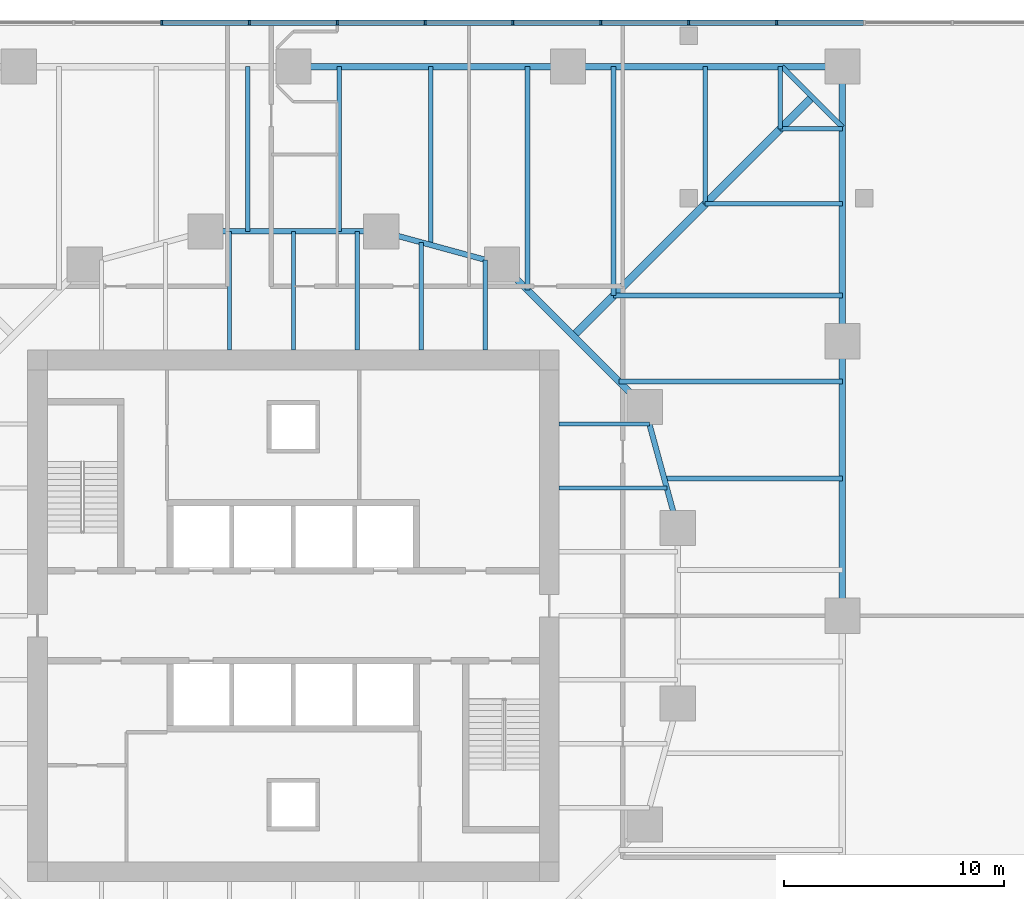
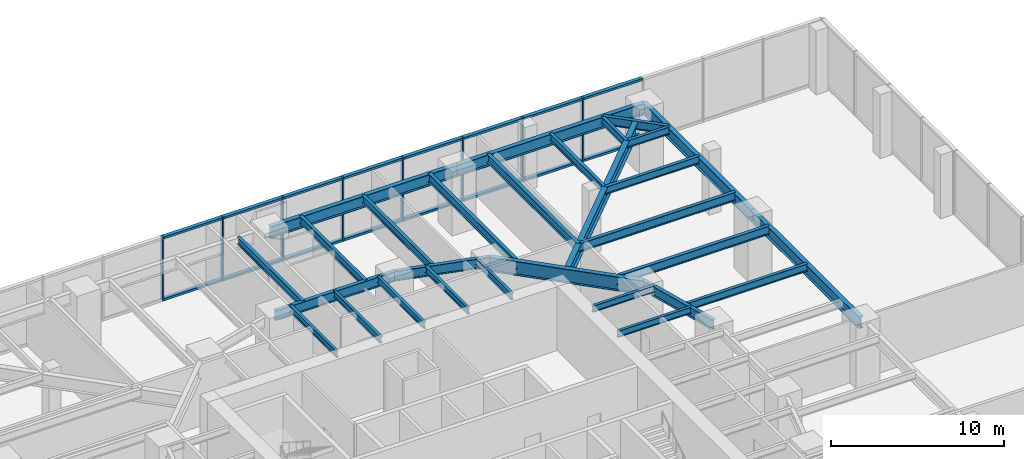
# One storey, part 6 of 14: 29 beams, 24 members, 1 element without a shape of its own.
"""IFC4 building model written with IfcOpenShell, lengths in metres."""

import ifcopenshell
import ifcopenshell.guid

model = None  # the IFC model being written
_history = None  # IfcOwnerHistory: only IFC2X3 demands one
_inside = {}  # id of a spatial element -> (the spatial element, [elements in it])
_under = {}  # id of a project, library or spatial element -> (it, [spatial elements below it])
_declared = {}  # id of a project -> (the project, [libraries it declares])
_typed = {}  # id of a type object -> (the type object, [elements of that type])
_made_of = {}  # id of a material, layer set ... -> (it, [elements and type objects made of it])


def new_model(schema):
    """Start an empty IFC model of exactly this schema.

    Asked for "IFC4X3", IfcOpenShell would pick the latest addendum, in which some entities
    have other attributes; the version numbers below select the first issue.
    IFC2X3 requires an IfcOwnerHistory on every rooted entity: one is made here for all.
    """
    global model, _history
    if schema == "IFC4X3":
        model = ifcopenshell.file(schema_version=(4, 3, 0, 0))
    else:
        model = ifcopenshell.file(schema=schema)
    _inside.clear()
    _under.clear()
    _declared.clear()
    _typed.clear()
    _made_of.clear()
    _history = None
    if model.schema == "IFC2X3":
        org = make("IfcOrganization", Name="unknown")
        user = make(
            "IfcPersonAndOrganization",
            ThePerson=make("IfcPerson", FamilyName="unknown"),
            TheOrganization=org,
        )
        app = make(
            "IfcApplication",
            ApplicationDeveloper=org,
            Version="unknown",
            ApplicationFullName="unknown",
            ApplicationIdentifier="unknown",
        )
        _history = make(
            "IfcOwnerHistory",
            OwningUser=user,
            OwningApplication=app,
            ChangeAction="ADDED",
            CreationDate=0,
        )
    return model


def make(cls, **values):
    """One entity of the class cls with the attributes given. An attribute that is None is left unset."""
    return model.create_entity(
        cls, **{name: value for name, value in values.items() if value is not None}
    )


def rooted(cls, **values):
    """An entity with a GlobalId (a new one), such as an element, a storey or a relation."""
    return make(cls, GlobalId=ifcopenshell.guid.new(), OwnerHistory=_history, **values)


def si_unit(unit_type, name, prefix=None):
    """IfcSIUnit, for example si_unit("LENGTHUNIT", "METRE", prefix="MILLI")."""
    return make("IfcSIUnit", UnitType=unit_type, Prefix=prefix, Name=name)


def assignment(units):
    """IfcUnitAssignment: the units of a project."""
    return None if units is None else make("IfcUnitAssignment", Units=units)


def point(xyz):
    """IfcCartesianPoint."""
    return None if xyz is None else make("IfcCartesianPoint", Coordinates=xyz)


def direction(xyz):
    """IfcDirection."""
    return None if xyz is None else make("IfcDirection", DirectionRatios=xyz)


def frame(location, z_axis=None, x_axis=None):
    """IfcAxis2Placement3D, a coordinate frame: its origin and axes. An axis left out is left unset."""
    return make(
        "IfcAxis2Placement3D",
        Location=point(location),
        Axis=direction(z_axis),
        RefDirection=direction(x_axis),
    )


def frame_2d(location, x_axis=None):
    """IfcAxis2Placement2D, a coordinate frame in the plane: its origin and x axis."""
    return make(
        "IfcAxis2Placement2D", Location=point(location), RefDirection=direction(x_axis)
    )


def origin():
    """The frame at (0, 0, 0) with its axes left unset."""
    return frame((0.0, 0.0, 0.0))


def origin_2d():
    """The frame at (0, 0) in the plane with its x axis left unset."""
    return frame_2d((0.0, 0.0))


def place(relative_to, where):
    """IfcLocalPlacement: puts the frame where relative to a parent placement (None: the world)."""
    return make(
        "IfcLocalPlacement", PlacementRelTo=relative_to, RelativePlacement=where
    )


def context(
    kind, dimensions, precision=None, world=None, true_north=None, identifier=None
):
    """IfcGeometricRepresentationContext, for example the 3D "Model" context."""
    return make(
        "IfcGeometricRepresentationContext",
        ContextIdentifier=identifier,
        ContextType=kind,
        CoordinateSpaceDimension=dimensions,
        Precision=precision,
        WorldCoordinateSystem=world,
        TrueNorth=true_north,
    )


def subcontext(parent, identifier, kind, view, scale=None):
    """IfcGeometricRepresentationSubContext, for example "Body" below "Model"."""
    return make(
        "IfcGeometricRepresentationSubContext",
        ContextIdentifier=identifier,
        ContextType=kind,
        ParentContext=parent,
        TargetScale=scale,
        TargetView=view,
    )


def project(units=None, contexts=None):
    """IfcProject with its units and contexts."""
    return rooted(
        "IfcProject",
        Name="project",
        RepresentationContexts=contexts,
        UnitsInContext=assignment(units),
    )


def spatial(cls, under=None, at=None, **own):
    """A site, building, storey or space (cls), placed at a placement, below another one or the project."""
    s = rooted(cls, ObjectPlacement=at, **own)
    if under is not None:
        _under.setdefault(under.id(), (under, []))[1].append(s)
    return s


def profile(cls, at=None, kind="AREA", **sizes):
    """A parametric profile (cls). Its sizes go by their IFC names, for example OverallWidth=200.0."""
    return make(cls, ProfileType=kind, Position=at, **sizes)


def rectangle(**sizes):
    """IfcRectangleProfileDef."""
    return profile("IfcRectangleProfileDef", **sizes)


def i_section(**sizes):
    """IfcIShapeProfileDef."""
    return profile("IfcIShapeProfileDef", **sizes)


def extrude(swept, where, along, depth):
    """IfcExtrudedAreaSolid: the profile swept, set in the frame where, extruded along a direction by depth."""
    return make(
        "IfcExtrudedAreaSolid",
        SweptArea=swept,
        Position=where,
        ExtrudedDirection=direction(along),
        Depth=depth,
    )


def shape(context_of_items, identifier, shape_type, items):
    """IfcShapeRepresentation: the items that make up one representation, for example the "Body"."""
    return make(
        "IfcShapeRepresentation",
        ContextOfItems=context_of_items,
        RepresentationIdentifier=identifier,
        RepresentationType=shape_type,
        Items=items,
    )


def material(Name=None, Category=None):
    """IfcMaterial."""
    return make("IfcMaterial", Name=Name, Category=Category)


def material_profile(
    of_material, cross_section, Name=None, Category=None, Priority=None
):
    """IfcMaterialProfile: a cross section and its material."""
    return make(
        "IfcMaterialProfile",
        Name=Name,
        Material=of_material,
        Profile=cross_section,
        Priority=Priority,
        Category=Category,
    )


def profile_set(profiles, Name=None, composite=None):
    """IfcMaterialProfileSet."""
    return make(
        "IfcMaterialProfileSet",
        Name=Name,
        MaterialProfiles=profiles,
        CompositeProfile=composite,
    )


def made_of(thing, what):
    """Note that an element or type object is made of a material, layer set ...; save() writes the relation."""
    if what is not None:
        _made_of.setdefault(what.id(), (what, []))[1].append(thing)
    return thing


def type_object(cls, material=None, **own):
    """A type object (cls), such as IfcWallType, which elements share."""
    return made_of(rooted(cls, **own), material)


def element(
    cls,
    number,
    at=None,
    inside=None,
    cuts=None,
    type_object=None,
    material=None,
    context=None,
    identifier="Body",
    shape_type=None,
    held_by="IfcProductDefinitionShape",
    body=None,
    shapes=None,
    **own,
):
    """One element of the class cls, such as IfcWall. Its Tag is "e" and its number.

    at: its placement. inside: the storey or other place that contains it. cuts: it is an
    opening in that element (IfcRelVoidsElement). A single representation is given by context,
    identifier, shape_type and body (its items); several are given by shapes. held_by: the class
    of the entity that holds the representations. save() writes the other relations.
    """
    e = rooted(cls, Tag="e%d" % number, ObjectPlacement=at, **own)
    if body is not None:
        shapes = [shape(context, identifier, shape_type, body)]
    if shapes is not None:
        e.Representation = make(held_by, Representations=shapes)
    if inside is not None:
        _inside.setdefault(inside.id(), (inside, []))[1].append(e)
    if cuts is not None:
        rooted(
            "IfcRelVoidsElement", RelatingBuildingElement=cuts, RelatedOpeningElement=e
        )
    if type_object is not None:
        _typed.setdefault(type_object.id(), (type_object, []))[1].append(e)
    return made_of(e, material)


def aggregate(whole, parts):
    """IfcRelAggregates: a whole, such as a stair, and the parts it consists of."""
    return rooted("IfcRelAggregates", RelatingObject=whole, RelatedObjects=parts)


def save(model, path):
    """Write the relations noted so far, then the file.

    IfcRelAggregates (storeys below a building ...), IfcRelContainedInSpatialStructure (elements
    in a storey), IfcRelDefinesByType, IfcRelAssociatesMaterial and IfcRelDeclares: one each for
    every whole, place, type object, material and project.
    """
    for whole, parts in _under.values():
        aggregate(whole, parts)
    for where, things in _inside.values():
        rooted(
            "IfcRelContainedInSpatialStructure",
            RelatedElements=things,
            RelatingStructure=where,
        )
    for kind, things in _typed.values():
        rooted("IfcRelDefinesByType", RelatedObjects=things, RelatingType=kind)
    for what, things in _made_of.values():
        rooted("IfcRelAssociatesMaterial", RelatedObjects=things, RelatingMaterial=what)
    for by, libraries in _declared.values():
        rooted("IfcRelDeclares", RelatingContext=by, RelatedDefinitions=libraries)
    model.write(path)


model = new_model("IFC4")

# Units and contexts
model_context = context("Model", 3, precision=1e-05, world=origin(), true_north=direction((0.0, 1.0)))
body_context = subcontext(model_context, "Body", "Model", "MODEL_VIEW")
ifc_project = project(units=[si_unit("LENGTHUNIT", "METRE"), si_unit("AREAUNIT", "SQUARE_METRE"), si_unit("VOLUMEUNIT", "CUBIC_METRE"), si_unit("PLANEANGLEUNIT", "RADIAN"), si_unit("MASSUNIT", "GRAM", prefix="KILO")], contexts=[model_context])

# Site, building, storey
site_placement = place(None, origin())
site = spatial("IfcSite", under=ifc_project, at=site_placement, CompositionType="ELEMENT")
building_placement = place(site_placement, origin())
building = spatial("IfcBuilding", under=site, at=building_placement, Name="Torsade Residences", CompositionType="ELEMENT")
storey_placement = place(building_placement, frame((0.0, 0.0, 10.5)))
storey = spatial("IfcBuildingStorey", under=building, at=storey_placement, Name="L02", CompositionType="ELEMENT", Elevation=10.5)

# Beams
ifc_material_1 = material(Name="Steel grade 300", Category="steel")
ifc_material_profile_1 = material_profile(ifc_material_1, i_section(OverallWidth=0.35009765625, OverallDepth=0.909912109375, WebThickness=0.011962890625, FlangeThickness=0.02490234375, at=origin_2d()), Name="900WB218")
ifc_profile_set_1 = profile_set([ifc_material_profile_1], Name="Steel grade 300")
beam_type_1 = type_object("IfcBeamType", Name="CORNER GIRDER 900WB218", PredefinedType="BEAM", material=ifc_profile_set_1)
beam_1_placement = place(storey_placement, frame((63.625, 53.625, 3.89501953125), z_axis=(-0.707106781187, -0.707106781187, 0.0), x_axis=(0.707106781187, -0.707106781187, 0.0)))
element("IfcBeam", 1, at=beam_1_placement, inside=storey, type_object=beam_type_1, Name="Corner girder 09 L03", PredefinedType="BEAM", context=body_context, shape_type="SweptSolid", body=[
    extrude(i_section(OverallWidth=0.35009765625, OverallDepth=0.909912109375, WebThickness=0.011962890625, FlangeThickness=0.02490234375, at=origin_2d()), origin(), (0.0, 0.0, 1.0), 15.379638671875),
])
ifc_material_2 = material(Name="Steel grade 300", Category="steel")
ifc_material_profile_2 = material_profile(ifc_material_2, i_section(OverallWidth=0.22802734375, OverallDepth=0.60205078125, WebThickness=0.010498046875, FlangeThickness=0.014892578125, FilletRadius=0.013916015625, at=origin_2d()), Name="610UB101")
ifc_profile_set_2 = profile_set([ifc_material_profile_2], Name="Steel grade 300")
beam_type_2 = type_object("IfcBeamType", Name="CORNER TRIMMER 610UB101", PredefinedType="BEAM", material=ifc_profile_set_2)
beam_2_placement = place(storey_placement, frame((62.25, 55.0, 4.049072265625), z_axis=(0.707106781187, -0.707106781187, 0.0), x_axis=(0.707106781187, 0.707106781187, 0.0)))
element("IfcBeam", 2, at=beam_2_placement, inside=storey, type_object=beam_type_2, Name="Corner trimmer 09 L03", PredefinedType="BEAM", context=body_context, shape_type="SweptSolid", body=[
    extrude(i_section(OverallWidth=0.22802734375, OverallDepth=0.60205078125, WebThickness=0.010498046875, FlangeThickness=0.014892578125, FilletRadius=0.013916015625, at=origin_2d()), origin(), (0.0, 0.0, 1.0), 3.88916015625),
])
ifc_material_3 = material(Name="Steel grade 300", Category="steel")
ifc_material_profile_3 = material_profile(ifc_material_3, i_section(OverallWidth=0.300048828125, OverallDepth=0.81591796875, WebThickness=0.010009765625, FlangeThickness=0.028076171875, at=origin_2d()), Name="800WB192")
ifc_profile_set_3 = profile_set([ifc_material_profile_3], Name="Steel grade 300")
beam_type_3 = type_object("IfcBeamType", Name="EDGE BEAM 800WB192", PredefinedType="SPANDREL", material=ifc_profile_set_3)
for number, where, z_axis, x_axis, name in (
    (3, (65.0, 30.0, 3.94189453125), (0.0, 1.0, 0.0), (-1.0, 0.0, 0.0), "Edge beam 07 L03"),
    (4, (65.0, 42.5, 3.94189453125), (0.0, 1.0, 0.0), (-1.0, 0.0, 0.0), "Edge beam 08 L03"),
    (5, (65.0, 55.0, 3.94189453125), (-1.0, 0.0, 0.0), (0.0, -1.0, 0.0), "Edge beam 09 L03"),
    (6, (52.5, 55.0, 3.94189453125), (-1.0, 0.0, 0.0), (0.0, -1.0, 0.0), "Edge beam 10 L03"),
):
    element("IfcBeam", number, at=place(storey_placement, frame(where, z_axis=z_axis, x_axis=x_axis)), inside=storey, type_object=beam_type_3, Name=name, PredefinedType="SPANDREL", context=body_context, shape_type="SweptSolid", body=[
        extrude(i_section(OverallWidth=0.300048828125, OverallDepth=0.81591796875, WebThickness=0.010009765625, FlangeThickness=0.028076171875, at=origin_2d()), origin(), (0.0, 0.0, 1.0), 12.5),
    ])
ifc_material_4 = material(Name="Steel grade 300", Category="steel")
ifc_material_profile_4 = material_profile(ifc_material_4, i_section(OverallWidth=0.18994140625, OverallDepth=0.4541015625, WebThickness=0.008544921875, FlangeThickness=0.0126953125, FilletRadius=0.011474609375, at=origin_2d()), Name="460UB67.1")
ifc_profile_set_4 = profile_set([ifc_material_profile_4], Name="Steel grade 300")
beam_type_4 = type_object("IfcBeamType", Name="INNER FLOOR BEAM 460UB67.1", PredefinedType="JOIST", material=ifc_profile_set_4)
for number, where, z_axis, x_axis, name in (
    (7, (37.08740234375, 42.10009765625, 4.123046875), (0.0, 1.0, 0.0), (-1.0, 0.0, 0.0), "Inner floor beam IN03 L03"),
    (8, (40.0, 42.10009765625, 4.123046875), (0.0, 1.0, 0.0), (-1.0, 0.0, 0.0), "Inner floor beam IN04 L03"),
    (9, (42.91259765625, 42.10009765625, 4.123046875), (0.0, 1.0, 0.0), (-1.0, 0.0, 0.0), "Inner floor beam IN05 L03"),
):
    element("IfcBeam", number, at=place(storey_placement, frame(where, z_axis=z_axis, x_axis=x_axis)), inside=storey, type_object=beam_type_4, Name=name, PredefinedType="JOIST", context=body_context, shape_type="SweptSolid", body=[
        extrude(i_section(OverallWidth=0.18994140625, OverallDepth=0.4541015625, WebThickness=0.008544921875, FlangeThickness=0.0126953125, FilletRadius=0.011474609375, at=origin_2d()), origin(), (0.0, 0.0, 1.0), 5.39990234375),
    ])
beam_3_placement = place(storey_placement, frame((45.824951171875, 42.10009765625, 4.123046875), z_axis=(0.0, 1.0, 0.0), x_axis=(-1.0, 0.0, 0.0)))
element("IfcBeam", 10, at=beam_3_placement, inside=storey, type_object=beam_type_4, Name="Inner floor beam IN06 L03", PredefinedType="JOIST", context=body_context, shape_type="SweptSolid", body=[
    extrude(i_section(OverallWidth=0.18994140625, OverallDepth=0.4541015625, WebThickness=0.008544921875, FlangeThickness=0.0126953125, FilletRadius=0.011474609375, at=origin_2d()), origin(), (0.0, 0.0, 1.0), 4.902099609375),
])
beam_4_placement = place(storey_placement, frame((48.737548828125, 42.10009765625, 4.123046875), z_axis=(0.0, 1.0, 0.0), x_axis=(-1.0, 0.0, 0.0)))
element("IfcBeam", 11, at=beam_4_placement, inside=storey, type_object=beam_type_4, Name="Inner floor beam IN07 L03", PredefinedType="JOIST", context=body_context, shape_type="SweptSolid", body=[
    extrude(i_section(OverallWidth=0.18994140625, OverallDepth=0.4541015625, WebThickness=0.008544921875, FlangeThickness=0.0126953125, FilletRadius=0.011474609375, at=origin_2d()), origin(), (0.0, 0.0, 1.0), 4.10791015625),
])
beam_5_placement = place(storey_placement, frame((52.10009765625, 35.824951171875, 4.123046875), z_axis=(1.0, 0.0, 0.0), x_axis=(0.0, 1.0, 0.0)))
element("IfcBeam", 12, at=beam_5_placement, inside=storey, type_object=beam_type_4, Name="Inner floor beam IE06 L03", PredefinedType="JOIST", context=body_context, shape_type="SweptSolid", body=[
    extrude(i_section(OverallWidth=0.18994140625, OverallDepth=0.4541015625, WebThickness=0.008544921875, FlangeThickness=0.0126953125, FilletRadius=0.011474609375, at=origin_2d()), origin(), (0.0, 0.0, 1.0), 4.902099609375),
])
beam_6_placement = place(storey_placement, frame((52.10009765625, 38.737548828125, 4.123046875), z_axis=(1.0, 0.0, 0.0), x_axis=(0.0, 1.0, 0.0)))
element("IfcBeam", 13, at=beam_6_placement, inside=storey, type_object=beam_type_4, Name="Inner floor beam IE07 L03", PredefinedType="JOIST", context=body_context, shape_type="SweptSolid", body=[
    extrude(i_section(OverallWidth=0.18994140625, OverallDepth=0.4541015625, WebThickness=0.008544921875, FlangeThickness=0.0126953125, FilletRadius=0.011474609375, at=origin_2d()), origin(), (0.0, 0.0, 1.0), 4.10791015625),
])

# Curtain wall, members
ifc_material_5 = material(Name="Aluminium and glass", Category="aluminium")
curtain_wall_type = type_object("IfcCurtainWallType", Name="PODIUM CURTAIN WALL", PredefinedType="NOTDEFINED", material=ifc_material_5)
curtain_wall_placement = place(storey_placement, origin())
curtain_wall = element("IfcCurtainWall", 14, at=curtain_wall_placement, inside=storey, type_object=curtain_wall_type, Name="Podium curtain wall L02 N", PredefinedType="NOTDEFINED")
ifc_material_6 = material(Name="Aluminium mullion", Category="aluminium")
ifc_material_profile_5 = material_profile(ifc_material_6, rectangle(XDim=0.25, YDim=0.090087890625, at=origin_2d()), Name="PODIUM CURTAIN WALL MULLION 250x90")
ifc_profile_set_5 = profile_set([ifc_material_profile_5], Name="Aluminium mullion")
member_type_1 = type_object("IfcMemberType", Name="PODIUM CURTAIN WALL MULLION 250x90", PredefinedType="MULLION", material=ifc_profile_set_5)
member_1_placement = place(storey_placement, frame((62.0, 57.0, 0.0), z_axis=(0.0, 0.0, 1.0), x_axis=(0.0, -1.0, 0.0)))
member_1 = element("IfcMember", 15, at=member_1_placement, type_object=member_type_1, Name="Mullion 5", PredefinedType="MULLION", context=body_context, shape_type="SweptSolid", body=[
    extrude(rectangle(XDim=0.25, YDim=0.090087890625, at=origin_2d()), origin(), (0.0, 0.0, 1.0), 4.5),
])
member_2_placement = place(storey_placement, frame((58.0, 57.0, 0.0), z_axis=(0.0, 0.0, 1.0), x_axis=(0.0, -1.0, 0.0)))
member_2 = element("IfcMember", 16, at=member_2_placement, type_object=member_type_1, Name="Mullion 6", PredefinedType="MULLION", context=body_context, shape_type="SweptSolid", body=[
    extrude(rectangle(XDim=0.25, YDim=0.090087890625, at=origin_2d()), origin(), (0.0, 0.0, 1.0), 4.5),
])
member_3_placement = place(storey_placement, frame((54.0, 57.0, 0.0), z_axis=(0.0, 0.0, 1.0), x_axis=(0.0, -1.0, 0.0)))
member_3 = element("IfcMember", 17, at=member_3_placement, type_object=member_type_1, Name="Mullion 7", PredefinedType="MULLION", context=body_context, shape_type="SweptSolid", body=[
    extrude(rectangle(XDim=0.25, YDim=0.090087890625, at=origin_2d()), origin(), (0.0, 0.0, 1.0), 4.5),
])
member_4_placement = place(storey_placement, frame((50.0, 57.0, 0.0), z_axis=(0.0, 0.0, 1.0), x_axis=(0.0, -1.0, 0.0)))
member_4 = element("IfcMember", 18, at=member_4_placement, type_object=member_type_1, Name="Mullion 8", PredefinedType="MULLION", context=body_context, shape_type="SweptSolid", body=[
    extrude(rectangle(XDim=0.25, YDim=0.090087890625, at=origin_2d()), origin(), (0.0, 0.0, 1.0), 4.5),
])
member_5_placement = place(storey_placement, frame((46.0, 57.0, 0.0), z_axis=(0.0, 0.0, 1.0), x_axis=(0.0, -1.0, 0.0)))
member_5 = element("IfcMember", 19, at=member_5_placement, type_object=member_type_1, Name="Mullion 9", PredefinedType="MULLION", context=body_context, shape_type="SweptSolid", body=[
    extrude(rectangle(XDim=0.25, YDim=0.090087890625, at=origin_2d()), origin(), (0.0, 0.0, 1.0), 4.5),
])
member_6_placement = place(storey_placement, frame((42.0, 57.0, 0.0), z_axis=(0.0, 0.0, 1.0), x_axis=(0.0, -1.0, 0.0)))
member_6 = element("IfcMember", 20, at=member_6_placement, type_object=member_type_1, Name="Mullion 10", PredefinedType="MULLION", context=body_context, shape_type="SweptSolid", body=[
    extrude(rectangle(XDim=0.25, YDim=0.090087890625, at=origin_2d()), origin(), (0.0, 0.0, 1.0), 4.5),
])
member_7_placement = place(storey_placement, frame((38.0, 57.0, 0.0), z_axis=(0.0, 0.0, 1.0), x_axis=(0.0, -1.0, 0.0)))
member_7 = element("IfcMember", 21, at=member_7_placement, type_object=member_type_1, Name="Mullion 11", PredefinedType="MULLION", context=body_context, shape_type="SweptSolid", body=[
    extrude(rectangle(XDim=0.25, YDim=0.090087890625, at=origin_2d()), origin(), (0.0, 0.0, 1.0), 4.5),
])
member_8_placement = place(storey_placement, frame((34.0, 57.0, 0.0), z_axis=(0.0, 0.0, 1.0), x_axis=(0.0, -1.0, 0.0)))
member_8 = element("IfcMember", 22, at=member_8_placement, type_object=member_type_1, Name="Mullion 12", PredefinedType="MULLION", context=body_context, shape_type="SweptSolid", body=[
    extrude(rectangle(XDim=0.25, YDim=0.090087890625, at=origin_2d()), origin(), (0.0, 0.0, 1.0), 4.5),
])
ifc_material_7 = material(Name="Aluminium transom", Category="aluminium")
ifc_material_profile_6 = material_profile(ifc_material_7, rectangle(XDim=0.25, YDim=0.14990234375, at=origin_2d()), Name="PODIUM CURTAIN WALL TRANSOM 250x150")
ifc_profile_set_6 = profile_set([ifc_material_profile_6], Name="Aluminium transom")
member_type_2 = type_object("IfcMemberType", Name="PODIUM CURTAIN WALL TRANSOM 250x150", PredefinedType="USERDEFINED", material=ifc_profile_set_6)
member_9_placement = place(storey_placement, frame((65.955078125, 57.0, 0.074951171875), z_axis=(-1.0, 0.0, 0.0), x_axis=(0.0, -1.0, 0.0)))
member_9 = element("IfcMember", 23, at=member_9_placement, type_object=member_type_2, Name="Transom 4.1", ObjectType="TRANSOM", PredefinedType="USERDEFINED", context=body_context, shape_type="SweptSolid", body=[
    extrude(rectangle(XDim=0.25, YDim=0.14990234375, at=origin_2d()), origin(), (0.0, 0.0, 1.0), 3.91015625),
])
member_10_placement = place(storey_placement, frame((65.955078125, 57.0, 4.425048828125), z_axis=(-1.0, 0.0, 0.0), x_axis=(0.0, -1.0, 0.0)))
member_10 = element("IfcMember", 24, at=member_10_placement, type_object=member_type_2, Name="Transom 4.2", ObjectType="TRANSOM", PredefinedType="USERDEFINED", context=body_context, shape_type="SweptSolid", body=[
    extrude(rectangle(XDim=0.25, YDim=0.14990234375, at=origin_2d()), origin(), (0.0, 0.0, 1.0), 3.91015625),
])
member_11_placement = place(storey_placement, frame((61.955078125, 57.0, 0.074951171875), z_axis=(-1.0, 0.0, 0.0), x_axis=(0.0, -1.0, 0.0)))
member_11 = element("IfcMember", 25, at=member_11_placement, type_object=member_type_2, Name="Transom 5.1", ObjectType="TRANSOM", PredefinedType="USERDEFINED", context=body_context, shape_type="SweptSolid", body=[
    extrude(rectangle(XDim=0.25, YDim=0.14990234375, at=origin_2d()), origin(), (0.0, 0.0, 1.0), 3.91015625),
])
member_12_placement = place(storey_placement, frame((61.955078125, 57.0, 4.425048828125), z_axis=(-1.0, 0.0, 0.0), x_axis=(0.0, -1.0, 0.0)))
member_12 = element("IfcMember", 26, at=member_12_placement, type_object=member_type_2, Name="Transom 5.2", ObjectType="TRANSOM", PredefinedType="USERDEFINED", context=body_context, shape_type="SweptSolid", body=[
    extrude(rectangle(XDim=0.25, YDim=0.14990234375, at=origin_2d()), origin(), (0.0, 0.0, 1.0), 3.91015625),
])
member_13_placement = place(storey_placement, frame((57.955078125, 57.0, 0.074951171875), z_axis=(-1.0, 0.0, 0.0), x_axis=(0.0, -1.0, 0.0)))
member_13 = element("IfcMember", 27, at=member_13_placement, type_object=member_type_2, Name="Transom 6.1", ObjectType="TRANSOM", PredefinedType="USERDEFINED", context=body_context, shape_type="SweptSolid", body=[
    extrude(rectangle(XDim=0.25, YDim=0.14990234375, at=origin_2d()), origin(), (0.0, 0.0, 1.0), 3.91015625),
])
member_14_placement = place(storey_placement, frame((57.955078125, 57.0, 4.425048828125), z_axis=(-1.0, 0.0, 0.0), x_axis=(0.0, -1.0, 0.0)))
member_14 = element("IfcMember", 28, at=member_14_placement, type_object=member_type_2, Name="Transom 6.2", ObjectType="TRANSOM", PredefinedType="USERDEFINED", context=body_context, shape_type="SweptSolid", body=[
    extrude(rectangle(XDim=0.25, YDim=0.14990234375, at=origin_2d()), origin(), (0.0, 0.0, 1.0), 3.91015625),
])
member_15_placement = place(storey_placement, frame((53.955078125, 57.0, 0.074951171875), z_axis=(-1.0, 0.0, 0.0), x_axis=(0.0, -1.0, 0.0)))
member_15 = element("IfcMember", 29, at=member_15_placement, type_object=member_type_2, Name="Transom 7.1", ObjectType="TRANSOM", PredefinedType="USERDEFINED", context=body_context, shape_type="SweptSolid", body=[
    extrude(rectangle(XDim=0.25, YDim=0.14990234375, at=origin_2d()), origin(), (0.0, 0.0, 1.0), 3.91015625),
])
member_16_placement = place(storey_placement, frame((53.955078125, 57.0, 4.425048828125), z_axis=(-1.0, 0.0, 0.0), x_axis=(0.0, -1.0, 0.0)))
member_16 = element("IfcMember", 30, at=member_16_placement, type_object=member_type_2, Name="Transom 7.2", ObjectType="TRANSOM", PredefinedType="USERDEFINED", context=body_context, shape_type="SweptSolid", body=[
    extrude(rectangle(XDim=0.25, YDim=0.14990234375, at=origin_2d()), origin(), (0.0, 0.0, 1.0), 3.91015625),
])
member_17_placement = place(storey_placement, frame((49.955078125, 57.0, 0.074951171875), z_axis=(-1.0, 0.0, 0.0), x_axis=(0.0, -1.0, 0.0)))
member_17 = element("IfcMember", 31, at=member_17_placement, type_object=member_type_2, Name="Transom 8.1", ObjectType="TRANSOM", PredefinedType="USERDEFINED", context=body_context, shape_type="SweptSolid", body=[
    extrude(rectangle(XDim=0.25, YDim=0.14990234375, at=origin_2d()), origin(), (0.0, 0.0, 1.0), 3.91015625),
])
member_18_placement = place(storey_placement, frame((49.955078125, 57.0, 4.425048828125), z_axis=(-1.0, 0.0, 0.0), x_axis=(0.0, -1.0, 0.0)))
member_18 = element("IfcMember", 32, at=member_18_placement, type_object=member_type_2, Name="Transom 8.2", ObjectType="TRANSOM", PredefinedType="USERDEFINED", context=body_context, shape_type="SweptSolid", body=[
    extrude(rectangle(XDim=0.25, YDim=0.14990234375, at=origin_2d()), origin(), (0.0, 0.0, 1.0), 3.91015625),
])
member_19_placement = place(storey_placement, frame((45.955078125, 57.0, 0.074951171875), z_axis=(-1.0, 0.0, 0.0), x_axis=(0.0, -1.0, 0.0)))
member_19 = element("IfcMember", 33, at=member_19_placement, type_object=member_type_2, Name="Transom 9.1", ObjectType="TRANSOM", PredefinedType="USERDEFINED", context=body_context, shape_type="SweptSolid", body=[
    extrude(rectangle(XDim=0.25, YDim=0.14990234375, at=origin_2d()), origin(), (0.0, 0.0, 1.0), 3.91015625),
])
member_20_placement = place(storey_placement, frame((45.955078125, 57.0, 4.425048828125), z_axis=(-1.0, 0.0, 0.0), x_axis=(0.0, -1.0, 0.0)))
member_20 = element("IfcMember", 34, at=member_20_placement, type_object=member_type_2, Name="Transom 9.2", ObjectType="TRANSOM", PredefinedType="USERDEFINED", context=body_context, shape_type="SweptSolid", body=[
    extrude(rectangle(XDim=0.25, YDim=0.14990234375, at=origin_2d()), origin(), (0.0, 0.0, 1.0), 3.91015625),
])
member_21_placement = place(storey_placement, frame((41.955078125, 57.0, 0.074951171875), z_axis=(-1.0, 0.0, 0.0), x_axis=(0.0, -1.0, 0.0)))
member_21 = element("IfcMember", 35, at=member_21_placement, type_object=member_type_2, Name="Transom 10.1", ObjectType="TRANSOM", PredefinedType="USERDEFINED", context=body_context, shape_type="SweptSolid", body=[
    extrude(rectangle(XDim=0.25, YDim=0.14990234375, at=origin_2d()), origin(), (0.0, 0.0, 1.0), 3.91015625),
])
member_22_placement = place(storey_placement, frame((41.955078125, 57.0, 4.425048828125), z_axis=(-1.0, 0.0, 0.0), x_axis=(0.0, -1.0, 0.0)))
member_22 = element("IfcMember", 36, at=member_22_placement, type_object=member_type_2, Name="Transom 10.2", ObjectType="TRANSOM", PredefinedType="USERDEFINED", context=body_context, shape_type="SweptSolid", body=[
    extrude(rectangle(XDim=0.25, YDim=0.14990234375, at=origin_2d()), origin(), (0.0, 0.0, 1.0), 3.91015625),
])
member_23_placement = place(storey_placement, frame((37.955078125, 57.0, 0.074951171875), z_axis=(-1.0, 0.0, 0.0), x_axis=(0.0, -1.0, 0.0)))
member_23 = element("IfcMember", 37, at=member_23_placement, type_object=member_type_2, Name="Transom 11.1", ObjectType="TRANSOM", PredefinedType="USERDEFINED", context=body_context, shape_type="SweptSolid", body=[
    extrude(rectangle(XDim=0.25, YDim=0.14990234375, at=origin_2d()), origin(), (0.0, 0.0, 1.0), 3.91015625),
])
member_24_placement = place(storey_placement, frame((37.955078125, 57.0, 4.425048828125), z_axis=(-1.0, 0.0, 0.0), x_axis=(0.0, -1.0, 0.0)))
member_24 = element("IfcMember", 38, at=member_24_placement, type_object=member_type_2, Name="Transom 11.2", ObjectType="TRANSOM", PredefinedType="USERDEFINED", context=body_context, shape_type="SweptSolid", body=[
    extrude(rectangle(XDim=0.25, YDim=0.14990234375, at=origin_2d()), origin(), (0.0, 0.0, 1.0), 3.91015625),
])
aggregate(curtain_wall, [member_1, member_2, member_3, member_4, member_5, member_6, member_7, member_8, member_9, member_10, member_11, member_12, member_13, member_14, member_15, member_16, member_17, member_18, member_19, member_20, member_21, member_22, member_23, member_24])

# Beams
ifc_material_8 = material(Name="Steel grade 300", Category="steel")
ifc_material_profile_7 = material_profile(ifc_material_8, i_section(OverallWidth=0.300048828125, OverallDepth=1.0, WebThickness=0.01611328125, FlangeThickness=0.028076171875, at=origin_2d()), Name="1000WB215")
ifc_profile_set_7 = profile_set([ifc_material_profile_7], Name="Steel grade 300")
beam_type_5 = type_object("IfcBeamType", Name="RING CORNER GIRDER 1000WB215", PredefinedType="BEAM", material=ifc_profile_set_7)
beam_7_placement = place(storey_placement, frame((56.0, 39.5, 3.85009765625), z_axis=(-0.707106781187, 0.707106781187, 0.0), x_axis=(-0.707106781187, -0.707106781187, 0.0)))
element("IfcBeam", 39, at=beam_7_placement, inside=storey, type_object=beam_type_5, Name="Ring girder IR03 L03", PredefinedType="BEAM", context=body_context, shape_type="SweptSolid", body=[
    extrude(i_section(OverallWidth=0.300048828125, OverallDepth=1.0, WebThickness=0.01611328125, FlangeThickness=0.028076171875, at=origin_2d()), origin(), (0.0, 0.0, 1.0), 9.1923828125),
])
ifc_material_9 = material(Name="Steel grade 300", Category="steel")
ifc_material_profile_8 = material_profile(ifc_material_9, i_section(OverallWidth=0.25, OverallDepth=0.699951171875, WebThickness=0.010009765625, FlangeThickness=0.02001953125, at=origin_2d()), Name="700WB130")
ifc_profile_set_8 = profile_set([ifc_material_profile_8], Name="Steel grade 300")
beam_type_6 = type_object("IfcBeamType", Name="RING GIRDER 700WB130", PredefinedType="BEAM", material=ifc_profile_set_8)
for number, where, z_axis, x_axis, name in (
    (40, (57.5, 34.0, 4.0), (-0.263117405792, 0.964763821238, 0.0), (-0.964763821238, -0.263117405792, 0.0), "Ring girder IR02 L03"),
    (41, (49.5, 46.0, 4.0), (-0.964763821238, 0.263117405792, 0.0), (-0.263117405792, -0.964763821238, 0.0), "Ring girder IR04 L03"),
):
    element("IfcBeam", number, at=place(storey_placement, frame(where, z_axis=z_axis, x_axis=x_axis)), inside=storey, type_object=beam_type_6, Name=name, PredefinedType="BEAM", context=body_context, shape_type="SweptSolid", body=[
        extrude(i_section(OverallWidth=0.25, OverallDepth=0.699951171875, WebThickness=0.010009765625, FlangeThickness=0.02001953125, at=origin_2d()), origin(), (0.0, 0.0, 1.0), 5.700927734375),
    ])
beam_8_placement = place(storey_placement, frame((44.0, 47.5, 4.0), z_axis=(-1.0, 0.0, 0.0), x_axis=(0.0, -1.0, 0.0)))
element("IfcBeam", 42, at=beam_8_placement, inside=storey, type_object=beam_type_6, Name="Ring girder IR05 L03", PredefinedType="BEAM", context=body_context, shape_type="SweptSolid", body=[
    extrude(i_section(OverallWidth=0.25, OverallDepth=0.699951171875, WebThickness=0.010009765625, FlangeThickness=0.02001953125, at=origin_2d()), origin(), (0.0, 0.0, 1.0), 8.0),
])
ifc_material_10 = material(Name="Steel grade 300", Category="steel")
ifc_material_profile_9 = material_profile(ifc_material_10, i_section(OverallWidth=0.208984375, OverallDepth=0.528076171875, WebThickness=0.009521484375, FlangeThickness=0.01318359375, FilletRadius=0.013916015625, at=origin_2d()), Name="530UB82.0")
ifc_profile_set_9 = profile_set([ifc_material_profile_9], Name="Steel grade 300")
beam_type_7 = type_object("IfcBeamType", Name="SECONDARY BEAM 530UB82.0", PredefinedType="JOIST", material=ifc_profile_set_9)
beam_9_placement = place(storey_placement, frame((65.0, 36.25, 4.0859375), z_axis=(-1.0, 0.0, 0.0), x_axis=(0.0, -1.0, 0.0)))
element("IfcBeam", 43, at=beam_9_placement, inside=storey, type_object=beam_type_7, Name="Floor beam FE08 L03", PredefinedType="JOIST", context=body_context, shape_type="SweptSolid", body=[
    extrude(i_section(OverallWidth=0.208984375, OverallDepth=0.528076171875, WebThickness=0.009521484375, FlangeThickness=0.01318359375, FilletRadius=0.013916015625, at=origin_2d()), origin(), (0.0, 0.0, 1.0), 8.113525390625),
])
beam_10_placement = place(storey_placement, frame((65.0, 48.75, 4.0859375), z_axis=(-1.0, 0.0, 0.0), x_axis=(0.0, -1.0, 0.0)))
element("IfcBeam", 44, at=beam_10_placement, inside=storey, type_object=beam_type_7, Name="Floor beam FE11 L03", PredefinedType="JOIST", context=body_context, shape_type="SweptSolid", body=[
    extrude(i_section(OverallWidth=0.208984375, OverallDepth=0.528076171875, WebThickness=0.009521484375, FlangeThickness=0.01318359375, FilletRadius=0.013916015625, at=origin_2d()), origin(), (0.0, 0.0, 1.0), 6.25),
])
for number, where, z_axis, x_axis, name in (
    (45, (65.0, 52.166748046875, 4.0859375), (-1.0, 0.0, 0.0), (0.0, -1.0, 0.0), "Floor beam FE12 L03"),
    (46, (62.166748046875, 55.0, 4.0859375), (0.0, -1.0, 0.0), (1.0, 0.0, 0.0), "Floor beam FN01 L03"),
):
    element("IfcBeam", number, at=place(storey_placement, frame(where, z_axis=z_axis, x_axis=x_axis)), inside=storey, type_object=beam_type_7, Name=name, PredefinedType="JOIST", context=body_context, shape_type="SweptSolid", body=[
        extrude(i_section(OverallWidth=0.208984375, OverallDepth=0.528076171875, WebThickness=0.009521484375, FlangeThickness=0.01318359375, FilletRadius=0.013916015625, at=origin_2d()), origin(), (0.0, 0.0, 1.0), 2.833251953125),
    ])
beam_11_placement = place(storey_placement, frame((58.75, 55.0, 4.0859375), z_axis=(0.0, -1.0, 0.0), x_axis=(1.0, 0.0, 0.0)))
element("IfcBeam", 47, at=beam_11_placement, inside=storey, type_object=beam_type_7, Name="Floor beam FN02 L03", PredefinedType="JOIST", context=body_context, shape_type="SweptSolid", body=[
    extrude(i_section(OverallWidth=0.208984375, OverallDepth=0.528076171875, WebThickness=0.009521484375, FlangeThickness=0.01318359375, FilletRadius=0.013916015625, at=origin_2d()), origin(), (0.0, 0.0, 1.0), 6.25),
])
beam_12_placement = place(storey_placement, frame((46.25, 55.0, 4.0859375), z_axis=(0.0, -1.0, 0.0), x_axis=(1.0, 0.0, 0.0)))
element("IfcBeam", 48, at=beam_12_placement, inside=storey, type_object=beam_type_7, Name="Floor beam FN05 L03", PredefinedType="JOIST", context=body_context, shape_type="SweptSolid", body=[
    extrude(i_section(OverallWidth=0.208984375, OverallDepth=0.528076171875, WebThickness=0.009521484375, FlangeThickness=0.01318359375, FilletRadius=0.013916015625, at=origin_2d()), origin(), (0.0, 0.0, 1.0), 8.113525390625),
])
for number, where, z_axis, x_axis, name in (
    (49, (42.083251953125, 55.0, 4.0859375), (0.0, -1.0, 0.0), (1.0, 0.0, 0.0), "Floor beam FN06 L03"),
    (50, (37.916748046875, 55.0, 4.0859375), (0.0, -1.0, 0.0), (1.0, 0.0, 0.0), "Floor beam FN07 L03"),
):
    element("IfcBeam", number, at=place(storey_placement, frame(where, z_axis=z_axis, x_axis=x_axis)), inside=storey, type_object=beam_type_7, Name=name, PredefinedType="JOIST", context=body_context, shape_type="SweptSolid", body=[
        extrude(i_section(OverallWidth=0.208984375, OverallDepth=0.528076171875, WebThickness=0.009521484375, FlangeThickness=0.01318359375, FilletRadius=0.013916015625, at=origin_2d()), origin(), (0.0, 0.0, 1.0), 7.5),
    ])
ifc_material_11 = material(Name="Steel grade 300", Category="steel")
ifc_material_profile_10 = material_profile(ifc_material_11, i_section(OverallWidth=0.22900390625, OverallDepth=0.612060546875, WebThickness=0.011962890625, FlangeThickness=0.01953125, FilletRadius=0.013916015625, at=origin_2d()), Name="610UB125")
ifc_profile_set_10 = profile_set([ifc_material_profile_10], Name="Steel grade 300")
beam_type_8 = type_object("IfcBeamType", Name="SECONDARY BEAM 610UB125", PredefinedType="JOIST", material=ifc_profile_set_10)
beam_13_placement = place(storey_placement, frame((65.0, 40.666748046875, 4.0439453125), z_axis=(-1.0, 0.0, 0.0), x_axis=(0.0, -1.0, 0.0)))
element("IfcBeam", 51, at=beam_13_placement, inside=storey, type_object=beam_type_8, Name="Floor beam FE09 L03", PredefinedType="JOIST", context=body_context, shape_type="SweptSolid", body=[
    extrude(i_section(OverallWidth=0.22900390625, OverallDepth=0.612060546875, WebThickness=0.011962890625, FlangeThickness=0.01953125, FilletRadius=0.013916015625, at=origin_2d()), origin(), (0.0, 0.0, 1.0), 10.166748046875),
])
for number, where, z_axis, x_axis, name in (
    (52, (65.0, 44.583251953125, 4.0439453125), (-1.0, 0.0, 0.0), (0.0, -1.0, 0.0), "Floor beam FE10 L03"),
    (53, (54.583251953125, 55.0, 4.0439453125), (0.0, -1.0, 0.0), (1.0, 0.0, 0.0), "Floor beam FN03 L03"),
):
    element("IfcBeam", number, at=place(storey_placement, frame(where, z_axis=z_axis, x_axis=x_axis)), inside=storey, type_object=beam_type_8, Name=name, PredefinedType="JOIST", context=body_context, shape_type="SweptSolid", body=[
        extrude(i_section(OverallWidth=0.22900390625, OverallDepth=0.612060546875, WebThickness=0.011962890625, FlangeThickness=0.01953125, FilletRadius=0.013916015625, at=origin_2d()), origin(), (0.0, 0.0, 1.0), 10.416748046875),
    ])
beam_14_placement = place(storey_placement, frame((50.666748046875, 55.0, 4.0439453125), z_axis=(0.0, -1.0, 0.0), x_axis=(1.0, 0.0, 0.0)))
element("IfcBeam", 54, at=beam_14_placement, inside=storey, type_object=beam_type_8, Name="Floor beam FN04 L03", PredefinedType="JOIST", context=body_context, shape_type="SweptSolid", body=[
    extrude(i_section(OverallWidth=0.22900390625, OverallDepth=0.612060546875, WebThickness=0.011962890625, FlangeThickness=0.01953125, FilletRadius=0.013916015625, at=origin_2d()), origin(), (0.0, 0.0, 1.0), 10.166748046875),
])

save(model, "model.ifc")
